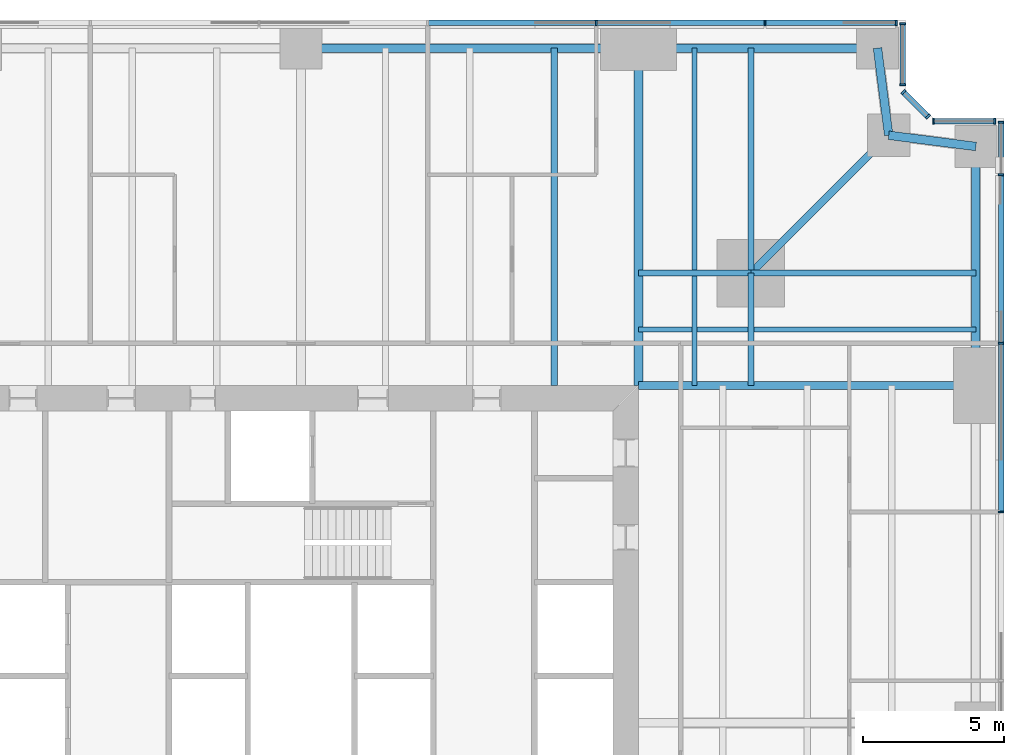
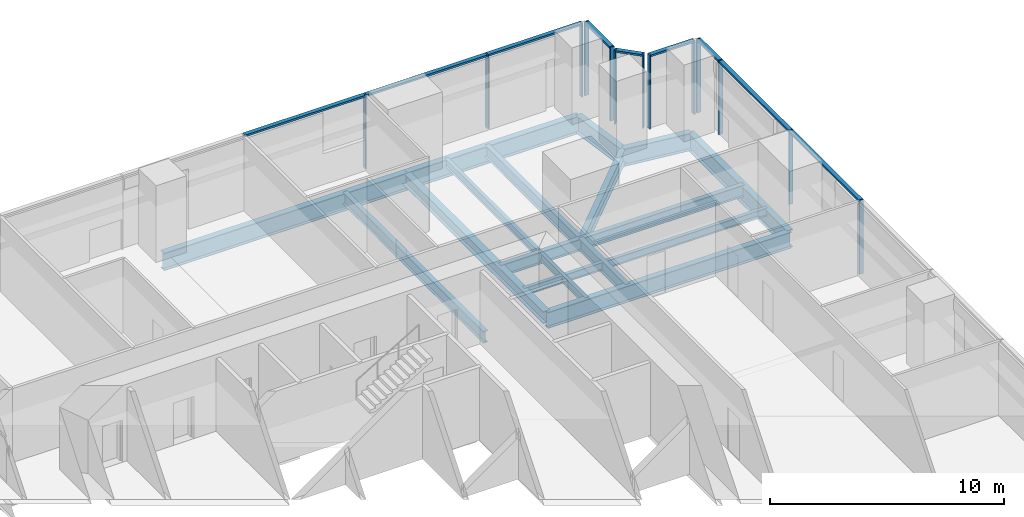
# One storey, part 7 of 14: 22 members, 18 beams, 5 elements without a shape of their own.
"""IFC4 building model written with IfcOpenShell, lengths in metres."""

from ifc_helpers import new_model, si_unit, direction, frame, origin, origin_2d, place, context, subcontext, project, spatial, rectangle, i_section, extrude, material, material_profile, profile_set, type_object, element, aggregate, save


model = new_model("IFC4")

# Units and contexts
model_context = context("Model", 3, precision=1e-05, world=origin(), true_north=direction((0.0, 1.0)))
body_context = subcontext(model_context, "Body", "Model", "MODEL_VIEW")
ifc_project = project(units=[si_unit("LENGTHUNIT", "METRE"), si_unit("AREAUNIT", "SQUARE_METRE"), si_unit("VOLUMEUNIT", "CUBIC_METRE"), si_unit("PLANEANGLEUNIT", "RADIAN"), si_unit("MASSUNIT", "GRAM", prefix="KILO")], contexts=[model_context])

# Site, building, storey
site_placement = place(None, origin())
site = spatial("IfcSite", under=ifc_project, at=site_placement, CompositionType="ELEMENT")
building_placement = place(site_placement, origin())
building = spatial("IfcBuilding", under=site, at=building_placement, Name="Fenwick Lantern Interchange", CompositionType="ELEMENT")
storey_placement = place(building_placement, frame((0.0, 0.0, 35.0)))
storey = spatial("IfcBuildingStorey", under=building, at=storey_placement, Name="L07", CompositionType="ELEMENT", Elevation=35.0)

# Beams
ifc_material_1 = material(Name="Steel ASTM A992 Grade 50", Category="steel")
ifc_material_profile_1 = material_profile(ifc_material_1, i_section(OverallWidth=0.3046875, OverallDepth=0.911865234375, WebThickness=0.015869140625, FlangeThickness=0.02392578125, at=origin_2d()), Name="W36X150")
ifc_profile_set_1 = profile_set([ifc_material_profile_1], Name="Steel ASTM A992 Grade 50")
beam_type_1 = type_object("IfcBeamType", Name="EDGE BEAM W36X150", PredefinedType="SPANDREL", material=ifc_profile_set_1)
beam_1_placement = place(storey_placement, frame((49.0, 37.0, -0.60595703125), z_axis=(0.0, 1.0, 0.0), x_axis=(-1.0, 0.0, 0.0)))
element("IfcBeam", 1, at=beam_1_placement, inside=storey, type_object=beam_type_1, Name="L07/FR/E/EB4", PredefinedType="SPANDREL", context=body_context, shape_type="SweptSolid", body=[
    extrude(i_section(OverallWidth=0.3046875, OverallDepth=0.911865234375, WebThickness=0.015869140625, FlangeThickness=0.02392578125, at=origin_2d()), origin(), (0.0, 0.0, 1.0), 8.5),
])
for number, where, z_axis, x_axis, name in (
    (2, (49.0, 45.5, -0.60595703125), (-0.991782342897, 0.127936641807, 0.0), (-0.127936641807, -0.991782342897, 0.0), "L07/FR/E/EBR1"),
    (3, (45.89990234375, 45.89990234375, -0.60595703125), (-0.127936641807, 0.991782342897, 0.0), (-0.991782342897, -0.127936641807, 0.0), "L07/FR/E/EBR2"),
):
    element("IfcBeam", number, at=place(storey_placement, frame(where, z_axis=z_axis, x_axis=x_axis)), inside=storey, type_object=beam_type_1, Name=name, PredefinedType="SPANDREL", context=body_context, shape_type="SweptSolid", body=[
        extrude(i_section(OverallWidth=0.3046875, OverallDepth=0.911865234375, WebThickness=0.015869140625, FlangeThickness=0.02392578125, at=origin_2d()), origin(), (0.0, 0.0, 1.0), 3.125732421875),
    ])
beam_2_placement = place(storey_placement, frame((45.5, 49.0, -0.60595703125), z_axis=(-1.0, 0.0, 0.0), x_axis=(0.0, -1.0, 0.0)))
element("IfcBeam", 4, at=beam_2_placement, inside=storey, type_object=beam_type_1, Name="L07/FR/N/EB1", PredefinedType="SPANDREL", context=body_context, shape_type="SweptSolid", body=[
    extrude(i_section(OverallWidth=0.3046875, OverallDepth=0.911865234375, WebThickness=0.015869140625, FlangeThickness=0.02392578125, at=origin_2d()), origin(), (0.0, 0.0, 1.0), 8.5),
])
beam_3_placement = place(storey_placement, frame((37.0, 49.0, -0.60595703125), z_axis=(-1.0, 0.0, 0.0), x_axis=(0.0, -1.0, 0.0)))
element("IfcBeam", 5, at=beam_3_placement, inside=storey, type_object=beam_type_1, Name="L07/FR/N/EB2", PredefinedType="SPANDREL", context=body_context, shape_type="SweptSolid", body=[
    extrude(i_section(OverallWidth=0.3046875, OverallDepth=0.911865234375, WebThickness=0.015869140625, FlangeThickness=0.02392578125, at=origin_2d()), origin(), (0.0, 0.0, 1.0), 12.0),
])
ifc_material_profile_2 = material_profile(ifc_material_1, i_section(OverallWidth=0.22900390625, OverallDepth=0.612060546875, WebThickness=0.011962890625, FlangeThickness=0.01953125, at=origin_2d()), Name="W24X84")
ifc_profile_set_2 = profile_set([ifc_material_profile_2], Name="Steel ASTM A992 Grade 50")
beam_type_2 = type_object("IfcBeamType", Name="FLOOR BEAM W24X84", PredefinedType="BEAM", material=ifc_profile_set_2)
beam_4_placement = place(storey_placement, frame((34.0, 49.0, -0.4560546875), z_axis=(0.0, -1.0, 0.0), x_axis=(1.0, 0.0, 0.0)))
element("IfcBeam", 6, at=beam_4_placement, inside=storey, type_object=beam_type_2, Name="L07/FR/N/R02", PredefinedType="BEAM", context=body_context, shape_type="SweptSolid", body=[
    extrude(i_section(OverallWidth=0.22900390625, OverallDepth=0.612060546875, WebThickness=0.011962890625, FlangeThickness=0.01953125, at=origin_2d()), origin(), (0.0, 0.0, 1.0), 12.0),
])
ifc_material_profile_3 = material_profile(ifc_material_1, i_section(OverallWidth=0.177734375, OverallDepth=0.406494140625, WebThickness=0.0078125, FlangeThickness=0.012939453125, at=origin_2d()), Name="W16X40")
ifc_profile_set_3 = profile_set([ifc_material_profile_3], Name="Steel ASTM A992 Grade 50")
beam_type_3 = type_object("IfcBeamType", Name="INFILL BEAM W16X40", PredefinedType="JOIST", material=ifc_profile_set_3)
beam_5_placement = place(storey_placement, frame((39.0, 49.0, -0.353271484375), z_axis=(0.0, -1.0, 0.0), x_axis=(1.0, 0.0, 0.0)))
element("IfcBeam", 7, at=beam_5_placement, inside=storey, type_object=beam_type_3, Name="L07/FR/N/J1", PredefinedType="JOIST", context=body_context, shape_type="SweptSolid", body=[
    extrude(i_section(OverallWidth=0.177734375, OverallDepth=0.406494140625, WebThickness=0.0078125, FlangeThickness=0.012939453125, at=origin_2d()), origin(), (0.0, 0.0, 1.0), 7.885498046875),
])
beam_6_placement = place(storey_placement, frame((39.0, 40.885498046875, -0.353271484375), z_axis=(0.0, -1.0, 0.0), x_axis=(1.0, 0.0, 0.0)))
element("IfcBeam", 8, at=beam_6_placement, inside=storey, type_object=beam_type_3, Name="L07/FR/N/J2", PredefinedType="JOIST", context=body_context, shape_type="SweptSolid", body=[
    extrude(i_section(OverallWidth=0.177734375, OverallDepth=0.406494140625, WebThickness=0.0078125, FlangeThickness=0.012939453125, at=origin_2d()), origin(), (0.0, 0.0, 1.0), 3.885498046875),
])
beam_7_placement = place(storey_placement, frame((49.0, 39.0, -0.353271484375), z_axis=(-1.0, 0.0, 0.0), x_axis=(0.0, -1.0, 0.0)))
element("IfcBeam", 9, at=beam_7_placement, inside=storey, type_object=beam_type_3, Name="L07/FR/N/J3", PredefinedType="JOIST", context=body_context, shape_type="SweptSolid", body=[
    extrude(i_section(OverallWidth=0.177734375, OverallDepth=0.406494140625, WebThickness=0.0078125, FlangeThickness=0.012939453125, at=origin_2d()), origin(), (0.0, 0.0, 1.0), 7.885498046875),
])
beam_8_placement = place(storey_placement, frame((40.885498046875, 39.0, -0.353271484375), z_axis=(-1.0, 0.0, 0.0), x_axis=(0.0, -1.0, 0.0)))
element("IfcBeam", 10, at=beam_8_placement, inside=storey, type_object=beam_type_3, Name="L07/FR/N/J4", PredefinedType="JOIST", context=body_context, shape_type="SweptSolid", body=[
    extrude(i_section(OverallWidth=0.177734375, OverallDepth=0.406494140625, WebThickness=0.0078125, FlangeThickness=0.012939453125, at=origin_2d()), origin(), (0.0, 0.0, 1.0), 1.796630859375),
])
beam_9_placement = place(storey_placement, frame((38.9111328125, 39.0, -0.353271484375), z_axis=(-1.0, 0.0, 0.0), x_axis=(0.0, -1.0, 0.0)))
element("IfcBeam", 11, at=beam_9_placement, inside=storey, type_object=beam_type_3, Name="L07/FR/N/J5", PredefinedType="JOIST", context=body_context, shape_type="SweptSolid", body=[
    extrude(i_section(OverallWidth=0.177734375, OverallDepth=0.406494140625, WebThickness=0.0078125, FlangeThickness=0.012939453125, at=origin_2d()), origin(), (0.0, 0.0, 1.0), 1.9111328125),
])
ifc_material_profile_4 = material_profile(ifc_material_1, i_section(OverallWidth=0.22900390625, OverallDepth=0.612060546875, WebThickness=0.011962890625, FlangeThickness=0.01953125, at=origin_2d()), Name="W24X84")
ifc_profile_set_4 = profile_set([ifc_material_profile_4], Name="Steel ASTM A992 Grade 50")
beam_type_4 = type_object("IfcBeamType", Name="MEGA COLUMN BEAM W24X84", PredefinedType="BEAM", material=ifc_profile_set_4)
for number, where, z_axis, x_axis, name in (
    (12, (41.0, 41.0, -0.4560546875), (0.0, 1.0, 0.0), (-1.0, 0.0, 0.0), "L07/FR/N/MB1"),
    (13, (41.0, 41.0, -0.4560546875), (1.0, 0.0, 0.0), (0.0, 1.0, 0.0), "L07/FR/N/MB2"),
):
    element("IfcBeam", number, at=place(storey_placement, frame(where, z_axis=z_axis, x_axis=x_axis)), inside=storey, type_object=beam_type_4, Name=name, PredefinedType="BEAM", context=body_context, shape_type="SweptSolid", body=[
        extrude(i_section(OverallWidth=0.22900390625, OverallDepth=0.612060546875, WebThickness=0.011962890625, FlangeThickness=0.01953125, at=origin_2d()), origin(), (0.0, 0.0, 1.0), 8.0),
    ])
for number, where, z_axis, x_axis, name in (
    (14, (41.0, 41.0, -0.4560546875), (-1.0, 0.0, 0.0), (0.0, -1.0, 0.0), "L07/FR/N/MB3"),
    (15, (41.0, 41.0, -0.4560546875), (0.0, -1.0, 0.0), (1.0, 0.0, 0.0), "L07/FR/N/MB4"),
):
    element("IfcBeam", number, at=place(storey_placement, frame(where, z_axis=z_axis, x_axis=x_axis)), inside=storey, type_object=beam_type_4, Name=name, PredefinedType="BEAM", context=body_context, shape_type="SweptSolid", body=[
        extrude(i_section(OverallWidth=0.22900390625, OverallDepth=0.612060546875, WebThickness=0.011962890625, FlangeThickness=0.01953125, at=origin_2d()), origin(), (0.0, 0.0, 1.0), 4.0),
    ])
ifc_material_profile_5 = material_profile(ifc_material_1, i_section(OverallWidth=0.32763671875, OverallDepth=0.622314453125, WebThickness=0.015380859375, FlangeThickness=0.0244140625, at=origin_2d()), Name="W24X131")
ifc_profile_set_5 = profile_set([ifc_material_profile_5], Name="Steel ASTM A992 Grade 50")
beam_type_5 = type_object("IfcBeamType", Name="MOMENT-CONNECTED GIRDER W24X131", PredefinedType="BEAM", material=ifc_profile_set_5)
beam_10_placement = place(storey_placement, frame((37.0, 49.0, -0.461181640625), z_axis=(0.0, -1.0, 0.0), x_axis=(1.0, 0.0, 0.0)))
element("IfcBeam", 16, at=beam_10_placement, inside=storey, type_object=beam_type_5, Name="L07/FR/N/R01", PredefinedType="BEAM", context=body_context, shape_type="SweptSolid", body=[
    extrude(i_section(OverallWidth=0.32763671875, OverallDepth=0.622314453125, WebThickness=0.015380859375, FlangeThickness=0.0244140625, at=origin_2d()), origin(), (0.0, 0.0, 1.0), 12.0),
])
ifc_material_profile_6 = material_profile(ifc_material_1, i_section(OverallWidth=0.2919921875, OverallDepth=0.845703125, WebThickness=0.015380859375, FlangeThickness=0.0244140625, at=origin_2d()), Name="W33X141")
ifc_profile_set_6 = profile_set([ifc_material_profile_6], Name="Steel ASTM A992 Grade 50")
beam_type_6 = type_object("IfcBeamType", Name="MOMENT-CONNECTED GIRDER W33X141", PredefinedType="BEAM", material=ifc_profile_set_6)
beam_11_placement = place(storey_placement, frame((49.0, 37.0, -0.572998046875), z_axis=(-1.0, 0.0, 0.0), x_axis=(0.0, -1.0, 0.0)))
element("IfcBeam", 17, at=beam_11_placement, inside=storey, type_object=beam_type_6, Name="L07/FR/E/R03", PredefinedType="BEAM", context=body_context, shape_type="SweptSolid", body=[
    extrude(i_section(OverallWidth=0.2919921875, OverallDepth=0.845703125, WebThickness=0.015380859375, FlangeThickness=0.0244140625, at=origin_2d()), origin(), (0.0, 0.0, 1.0), 12.0),
])
ifc_material_profile_7 = material_profile(ifc_material_1, i_section(OverallWidth=0.2666015625, OverallDepth=0.7568359375, WebThickness=0.013916015625, FlangeThickness=0.019287109375, at=origin_2d()), Name="W30X108")
ifc_profile_set_7 = profile_set([ifc_material_profile_7], Name="Steel ASTM A992 Grade 50")
beam_type_7 = type_object("IfcBeamType", Name="NOTCH BEAM W30X108", PredefinedType="BEAM", material=ifc_profile_set_7)
beam_12_placement = place(storey_placement, frame((41.0, 41.0, -0.528564453125), z_axis=(0.707106781187, 0.707106781187, 0.0), x_axis=(-0.707106781187, 0.707106781187, 0.0)))
element("IfcBeam", 18, at=beam_12_placement, inside=storey, type_object=beam_type_7, Name="L07/FR/N/TG", PredefinedType="BEAM", context=body_context, shape_type="SweptSolid", body=[
    extrude(i_section(OverallWidth=0.2666015625, OverallDepth=0.7568359375, WebThickness=0.013916015625, FlangeThickness=0.019287109375, at=origin_2d()), origin(), (0.0, 0.0, 1.0), 6.929443359375),
])

# Curtain wall, members
ifc_material_2 = material(Name="Aluminium curtain wall frame", Category="aluminium")
curtain_wall_type = type_object("IfcCurtainWallType", Name="OFFICE CURTAIN WALL", PredefinedType="USERDEFINED", material=ifc_material_2)
curtain_wall_1_placement = place(storey_placement, origin())
curtain_wall_1 = element("IfcCurtainWall", 19, at=curtain_wall_1_placement, inside=storey, type_object=curtain_wall_type, Name="Office curtain wall 05", ObjectType="OFFICE CURTAIN WALL", PredefinedType="USERDEFINED")
ifc_material_3 = material(Name="Aluminium extrusion", Category="aluminium")
ifc_material_profile_8 = material_profile(ifc_material_3, rectangle(XDim=0.199951171875, YDim=0.06494140625, at=origin_2d()), Name="OFFICE CURTAIN WALL MULLION 65 X 200")
ifc_profile_set_8 = profile_set([ifc_material_profile_8], Name="Aluminium extrusion")
member_type_1 = type_object("IfcMemberType", Name="OFFICE CURTAIN WALL MULLION 65 X 200", PredefinedType="MULLION", material=ifc_profile_set_8)
member_1_placement = place(storey_placement, frame((49.89990234375, 32.5, 0.0), z_axis=(0.0, 0.0, 1.0), x_axis=(-1.0, 0.0, 0.0)))
member_1 = element("IfcMember", 20, at=member_1_placement, type_object=member_type_1, Name="L07/CW/05/M05", PredefinedType="MULLION", context=body_context, shape_type="SweptSolid", body=[
    extrude(rectangle(XDim=0.199951171875, YDim=0.06494140625, at=origin_2d()), origin(), (0.0, 0.0, 1.0), 3.85009765625),
])
member_2_placement = place(storey_placement, frame((49.89990234375, 38.5, 0.0), z_axis=(0.0, 0.0, 1.0), x_axis=(-1.0, 0.0, 0.0)))
member_2 = element("IfcMember", 21, at=member_2_placement, type_object=member_type_1, Name="L07/CW/05/M06", PredefinedType="MULLION", context=body_context, shape_type="SweptSolid", body=[
    extrude(rectangle(XDim=0.199951171875, YDim=0.06494140625, at=origin_2d()), origin(), (0.0, 0.0, 1.0), 3.85009765625),
])
member_3_placement = place(storey_placement, frame((49.89990234375, 44.5, 0.0), z_axis=(0.0, 0.0, 1.0), x_axis=(-1.0, 0.0, 0.0)))
member_3 = element("IfcMember", 22, at=member_3_placement, type_object=member_type_1, Name="L07/CW/05/M07", PredefinedType="MULLION", context=body_context, shape_type="SweptSolid", body=[
    extrude(rectangle(XDim=0.199951171875, YDim=0.06494140625, at=origin_2d()), origin(), (0.0, 0.0, 1.0), 3.85009765625),
])
member_4_placement = place(storey_placement, frame((49.89990234375, 46.367431640625, 0.0), z_axis=(0.0, 0.0, 1.0), x_axis=(-1.0, 0.0, 0.0)))
member_4 = element("IfcMember", 23, at=member_4_placement, type_object=member_type_1, Name="L07/CW/05/M08", PredefinedType="MULLION", context=body_context, shape_type="SweptSolid", body=[
    extrude(rectangle(XDim=0.199951171875, YDim=0.06494140625, at=origin_2d()), origin(), (0.0, 0.0, 1.0), 3.85009765625),
])

curtain_wall_2_placement = place(storey_placement, origin())
curtain_wall_2 = element("IfcCurtainWall", 24, at=curtain_wall_2_placement, inside=storey, type_object=curtain_wall_type, Name="Office curtain wall 06", ObjectType="OFFICE CURTAIN WALL", PredefinedType="USERDEFINED")
member_5_placement = place(storey_placement, frame((49.66748046875, 46.39990234375, 0.0), z_axis=(0.0, 0.0, 1.0), x_axis=(0.0, -1.0, 0.0)))
member_5 = element("IfcMember", 25, at=member_5_placement, type_object=member_type_1, Name="L07/CW/06/M00", PredefinedType="MULLION", context=body_context, shape_type="SweptSolid", body=[
    extrude(rectangle(XDim=0.199951171875, YDim=0.06494140625, at=origin_2d()), origin(), (0.0, 0.0, 1.0), 3.85009765625),
])
member_6_placement = place(storey_placement, frame((47.490966796875, 46.39990234375, 0.0), z_axis=(0.0, 0.0, 1.0), x_axis=(0.0, -1.0, 0.0)))
member_6 = element("IfcMember", 26, at=member_6_placement, type_object=member_type_1, Name="L07/CW/06/M01", PredefinedType="MULLION", context=body_context, shape_type="SweptSolid", body=[
    extrude(rectangle(XDim=0.199951171875, YDim=0.06494140625, at=origin_2d()), origin(), (0.0, 0.0, 1.0), 3.85009765625),
])

curtain_wall_3_placement = place(storey_placement, origin())
curtain_wall_3 = element("IfcCurtainWall", 27, at=curtain_wall_3_placement, inside=storey, type_object=curtain_wall_type, Name="Office curtain wall 07", ObjectType="OFFICE CURTAIN WALL", PredefinedType="USERDEFINED")
member_7_placement = place(storey_placement, frame((47.294189453125, 46.564453125, 0.0), z_axis=(0.0, 0.0, 1.0), x_axis=(-0.707106781187, -0.707106781187, 0.0)))
member_7 = element("IfcMember", 28, at=member_7_placement, type_object=member_type_1, Name="L07/CW/07/M00", PredefinedType="MULLION", context=body_context, shape_type="SweptSolid", body=[
    extrude(rectangle(XDim=0.199951171875, YDim=0.06494140625, at=origin_2d()), origin(), (0.0, 0.0, 1.0), 3.85009765625),
])
member_8_placement = place(storey_placement, frame((46.423095703125, 47.435546875, 0.0), z_axis=(0.0, 0.0, 1.0), x_axis=(-0.707106781187, -0.707106781187, 0.0)))
member_8 = element("IfcMember", 29, at=member_8_placement, type_object=member_type_1, Name="L07/CW/07/M01", PredefinedType="MULLION", context=body_context, shape_type="SweptSolid", body=[
    extrude(rectangle(XDim=0.199951171875, YDim=0.06494140625, at=origin_2d()), origin(), (0.0, 0.0, 1.0), 3.85009765625),
])

curtain_wall_4_placement = place(storey_placement, origin())
curtain_wall_4 = element("IfcCurtainWall", 30, at=curtain_wall_4_placement, inside=storey, type_object=curtain_wall_type, Name="Office curtain wall 08", ObjectType="OFFICE CURTAIN WALL", PredefinedType="USERDEFINED")
member_9_placement = place(storey_placement, frame((46.39990234375, 47.691162109375, 0.0), z_axis=(0.0, 0.0, 1.0), x_axis=(-1.0, 0.0, 0.0)))
member_9 = element("IfcMember", 31, at=member_9_placement, type_object=member_type_1, Name="L07/CW/08/M00", PredefinedType="MULLION", context=body_context, shape_type="SweptSolid", body=[
    extrude(rectangle(XDim=0.199951171875, YDim=0.06494140625, at=origin_2d()), origin(), (0.0, 0.0, 1.0), 3.85009765625),
])
member_10_placement = place(storey_placement, frame((46.39990234375, 49.867431640625, 0.0), z_axis=(0.0, 0.0, 1.0), x_axis=(-1.0, 0.0, 0.0)))
member_10 = element("IfcMember", 32, at=member_10_placement, type_object=member_type_1, Name="L07/CW/08/M01", PredefinedType="MULLION", context=body_context, shape_type="SweptSolid", body=[
    extrude(rectangle(XDim=0.199951171875, YDim=0.06494140625, at=origin_2d()), origin(), (0.0, 0.0, 1.0), 3.85009765625),
])

curtain_wall_5_placement = place(storey_placement, origin())
curtain_wall_5 = element("IfcCurtainWall", 33, at=curtain_wall_5_placement, inside=storey, type_object=curtain_wall_type, Name="Office curtain wall 09", ObjectType="OFFICE CURTAIN WALL", PredefinedType="USERDEFINED")
member_11_placement = place(storey_placement, frame((46.16748046875, 49.89990234375, 0.0), z_axis=(0.0, 0.0, 1.0), x_axis=(0.0, -1.0, 0.0)))
member_11 = element("IfcMember", 34, at=member_11_placement, type_object=member_type_1, Name="L07/CW/09/M00", PredefinedType="MULLION", context=body_context, shape_type="SweptSolid", body=[
    extrude(rectangle(XDim=0.199951171875, YDim=0.06494140625, at=origin_2d()), origin(), (0.0, 0.0, 1.0), 3.85009765625),
])
member_12_placement = place(storey_placement, frame((41.5, 49.89990234375, 0.0), z_axis=(0.0, 0.0, 1.0), x_axis=(0.0, -1.0, 0.0)))
member_12 = element("IfcMember", 35, at=member_12_placement, type_object=member_type_1, Name="L07/CW/09/M01", PredefinedType="MULLION", context=body_context, shape_type="SweptSolid", body=[
    extrude(rectangle(XDim=0.199951171875, YDim=0.06494140625, at=origin_2d()), origin(), (0.0, 0.0, 1.0), 3.85009765625),
])
member_13_placement = place(storey_placement, frame((35.5, 49.89990234375, 0.0), z_axis=(0.0, 0.0, 1.0), x_axis=(0.0, -1.0, 0.0)))
member_13 = element("IfcMember", 36, at=member_13_placement, type_object=member_type_1, Name="L07/CW/09/M02", PredefinedType="MULLION", context=body_context, shape_type="SweptSolid", body=[
    extrude(rectangle(XDim=0.199951171875, YDim=0.06494140625, at=origin_2d()), origin(), (0.0, 0.0, 1.0), 3.85009765625),
])

# Member
ifc_material_profile_9 = material_profile(ifc_material_3, rectangle(XDim=0.199951171875, YDim=0.10009765625, at=origin_2d()), Name="OFFICE CURTAIN WALL TRANSOM 100 X 200")
ifc_profile_set_9 = profile_set([ifc_material_profile_9], Name="Aluminium extrusion")
member_type_2 = type_object("IfcMemberType", Name="OFFICE CURTAIN WALL TRANSOM 100 X 200", PredefinedType="MULLION", material=ifc_profile_set_9)
member_14_placement = place(storey_placement, frame((49.89990234375, 32.532470703125, 3.800048828125), z_axis=(0.0, 1.0, 0.0), x_axis=(-1.0, 0.0, 0.0)))
member_14 = element("IfcMember", 37, at=member_14_placement, type_object=member_type_2, Name="L07/CW/05/T05", PredefinedType="MULLION", context=body_context, shape_type="SweptSolid", body=[
    extrude(rectangle(XDim=0.199951171875, YDim=0.10009765625, at=origin_2d()), origin(), (0.0, 0.0, 1.0), 5.93505859375),
])

member_15_placement = place(storey_placement, frame((49.89990234375, 38.532470703125, 3.800048828125), z_axis=(0.0, 1.0, 0.0), x_axis=(-1.0, 0.0, 0.0)))
member_15 = element("IfcMember", 38, at=member_15_placement, type_object=member_type_2, Name="L07/CW/05/T06", PredefinedType="MULLION", context=body_context, shape_type="SweptSolid", body=[
    extrude(rectangle(XDim=0.199951171875, YDim=0.10009765625, at=origin_2d()), origin(), (0.0, 0.0, 1.0), 5.93505859375),
])

member_16_placement = place(storey_placement, frame((49.89990234375, 44.532470703125, 3.800048828125), z_axis=(0.0, 1.0, 0.0), x_axis=(-1.0, 0.0, 0.0)))
member_16 = element("IfcMember", 39, at=member_16_placement, type_object=member_type_2, Name="L07/CW/05/T07", PredefinedType="MULLION", context=body_context, shape_type="SweptSolid", body=[
    extrude(rectangle(XDim=0.199951171875, YDim=0.10009765625, at=origin_2d()), origin(), (0.0, 0.0, 1.0), 1.802490234375),
])

aggregate(curtain_wall_1, [member_1, member_2, member_3, member_4, member_14, member_15, member_16])

member_17_placement = place(storey_placement, frame((49.635009765625, 46.39990234375, 3.800048828125), z_axis=(-1.0, 0.0, 0.0), x_axis=(0.0, -1.0, 0.0)))
member_17 = element("IfcMember", 40, at=member_17_placement, type_object=member_type_2, Name="L07/CW/06/T00", PredefinedType="MULLION", context=body_context, shape_type="SweptSolid", body=[
    extrude(rectangle(XDim=0.199951171875, YDim=0.10009765625, at=origin_2d()), origin(), (0.0, 0.0, 1.0), 2.111328125),
])

aggregate(curtain_wall_2, [member_5, member_6, member_17])

member_18_placement = place(storey_placement, frame((47.271240234375, 46.58740234375, 3.800048828125), z_axis=(-0.707106781187, 0.707106781187, 0.0), x_axis=(-0.707106781187, -0.707106781187, 0.0)))
member_18 = element("IfcMember", 41, at=member_18_placement, type_object=member_type_2, Name="L07/CW/07/T00", PredefinedType="MULLION", context=body_context, shape_type="SweptSolid", body=[
    extrude(rectangle(XDim=0.199951171875, YDim=0.10009765625, at=origin_2d()), origin(), (0.0, 0.0, 1.0), 1.1669921875),
])

aggregate(curtain_wall_3, [member_7, member_8, member_18])

member_19_placement = place(storey_placement, frame((46.39990234375, 47.7236328125, 3.800048828125), z_axis=(0.0, 1.0, 0.0), x_axis=(-1.0, 0.0, 0.0)))
member_19 = element("IfcMember", 42, at=member_19_placement, type_object=member_type_2, Name="L07/CW/08/T00", PredefinedType="MULLION", context=body_context, shape_type="SweptSolid", body=[
    extrude(rectangle(XDim=0.199951171875, YDim=0.10009765625, at=origin_2d()), origin(), (0.0, 0.0, 1.0), 2.111328125),
])

aggregate(curtain_wall_4, [member_9, member_10, member_19])

member_20_placement = place(storey_placement, frame((46.135009765625, 49.89990234375, 3.800048828125), z_axis=(-1.0, 0.0, 0.0), x_axis=(0.0, -1.0, 0.0)))
member_20 = element("IfcMember", 43, at=member_20_placement, type_object=member_type_2, Name="L07/CW/09/T00", PredefinedType="MULLION", context=body_context, shape_type="SweptSolid", body=[
    extrude(rectangle(XDim=0.199951171875, YDim=0.10009765625, at=origin_2d()), origin(), (0.0, 0.0, 1.0), 4.6025390625),
])

member_21_placement = place(storey_placement, frame((41.467529296875, 49.89990234375, 3.800048828125), z_axis=(-1.0, 0.0, 0.0), x_axis=(0.0, -1.0, 0.0)))
member_21 = element("IfcMember", 44, at=member_21_placement, type_object=member_type_2, Name="L07/CW/09/T01", PredefinedType="MULLION", context=body_context, shape_type="SweptSolid", body=[
    extrude(rectangle(XDim=0.199951171875, YDim=0.10009765625, at=origin_2d()), origin(), (0.0, 0.0, 1.0), 5.93505859375),
])

member_22_placement = place(storey_placement, frame((35.467529296875, 49.89990234375, 3.800048828125), z_axis=(-1.0, 0.0, 0.0), x_axis=(0.0, -1.0, 0.0)))
member_22 = element("IfcMember", 45, at=member_22_placement, type_object=member_type_2, Name="L07/CW/09/T02", PredefinedType="MULLION", context=body_context, shape_type="SweptSolid", body=[
    extrude(rectangle(XDim=0.199951171875, YDim=0.10009765625, at=origin_2d()), origin(), (0.0, 0.0, 1.0), 5.93505859375),
])

aggregate(curtain_wall_5, [member_11, member_12, member_13, member_20, member_21, member_22])

save(model, "model.ifc")
